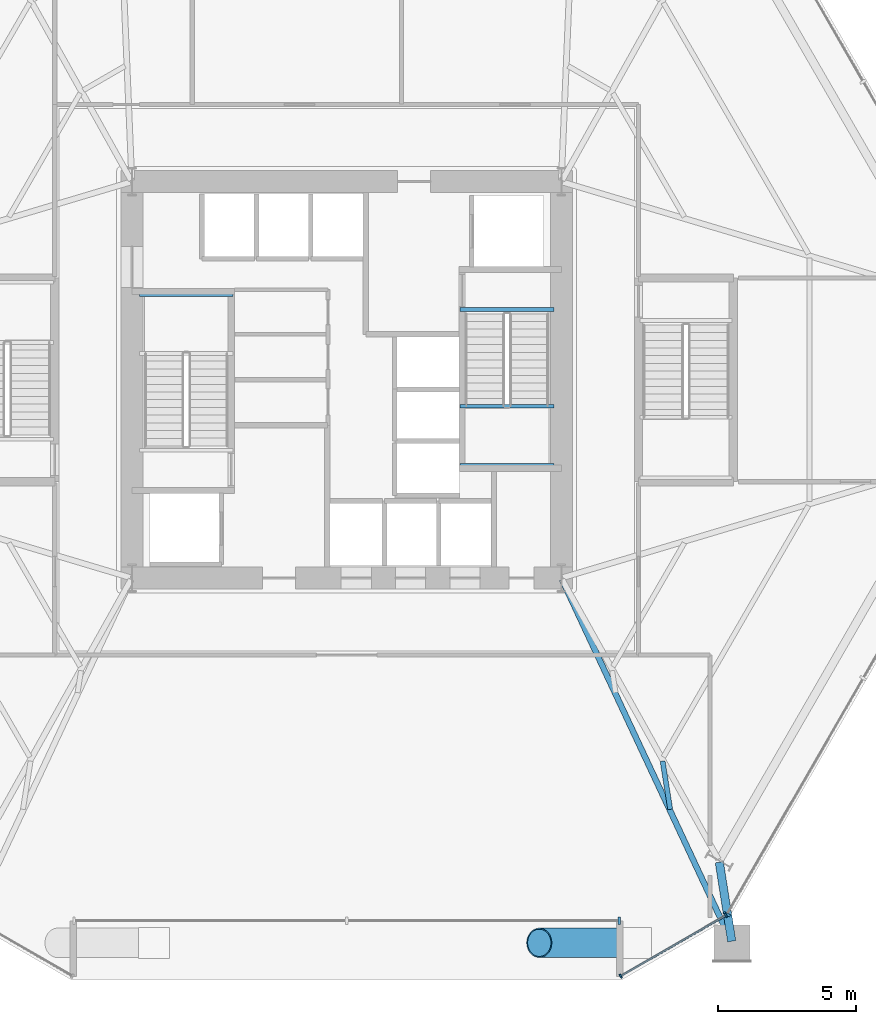
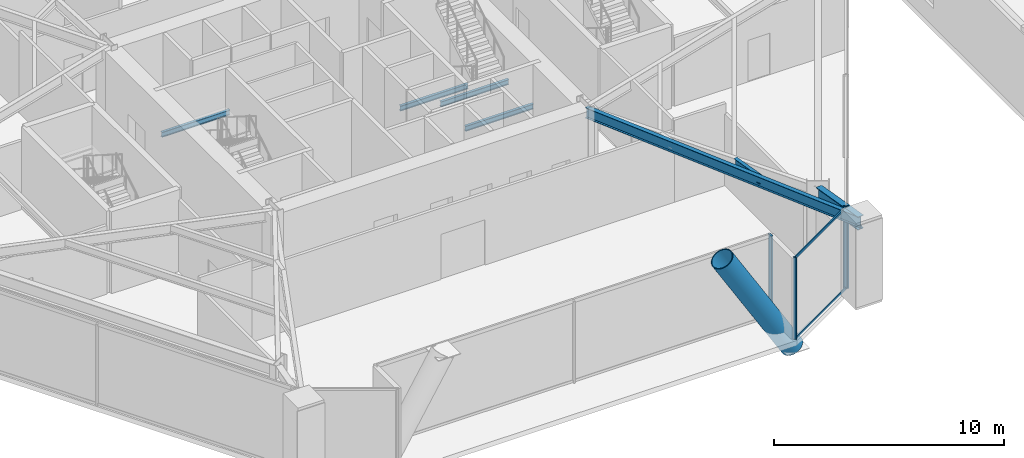
# One storey, part 8 of 23: 7 beams, 7 members, 3 elements without a shape of their own.
"""IFC4 building model written with IfcOpenShell, lengths in metres."""

from ifc_helpers import new_model, si_unit, direction, frame, origin, origin_2d, place, context, subcontext, project, spatial, rectangle, hollow_circle, i_section, extrude, material, layer, layer_set, material_profile, profile_set, type_object, element, aggregate, save


model = new_model("IFC4")

# Units and contexts
model_context = context("Model", 3, precision=1e-05, world=origin(), true_north=direction((0.0, 1.0)))
body_context = subcontext(model_context, "Body", "Model", "MODEL_VIEW")
ifc_project = project(units=[si_unit("LENGTHUNIT", "METRE"), si_unit("AREAUNIT", "SQUARE_METRE"), si_unit("VOLUMEUNIT", "CUBIC_METRE"), si_unit("PLANEANGLEUNIT", "RADIAN"), si_unit("MASSUNIT", "GRAM", prefix="KILO")], contexts=[model_context])

# Site, building, storey
site_placement = place(None, origin())
site = spatial("IfcSite", under=ifc_project, at=site_placement, CompositionType="ELEMENT")
building_placement = place(site_placement, origin())
building = spatial("IfcBuilding", under=site, at=building_placement, Name="Kranzbogen Civic Tower", CompositionType="ELEMENT")
storey_placement = place(building_placement, frame((0.0, 0.0, 9.800048828125)))
storey = spatial("IfcBuildingStorey", under=building, at=storey_placement, Name="L02", CompositionType="ELEMENT", Elevation=9.800048828125)

# Curtain wall, members
ifc_material_1 = material(Name="Pale Anodised Aluminium", Category="aluminium")
ifc_layer_1 = layer(ifc_material_1, 0.219970703125, Name="Pale Anodised Aluminium")
ifc_layer_set_1 = layer_set([ifc_layer_1], Name="Pale Anodised Aluminium")
curtain_wall_type_1 = type_object("IfcCurtainWallType", Name="Chamfer Facet Stick Curtain Wall System CW-06", PredefinedType="USERDEFINED", material=ifc_layer_set_1)
curtain_wall_1_placement = place(storey_placement, origin())
curtain_wall_1 = element("IfcCurtainWall", 1, at=curtain_wall_1_placement, inside=storey, type_object=curtain_wall_type_1, Name="L02 curtain wall CW-L02-C5", ObjectType="STICK CURTAIN WALL", PredefinedType="USERDEFINED")
ifc_material_profile_1 = material_profile(ifc_material_1, rectangle(XDim=0.06005859375, YDim=0.159912109375, at=origin_2d()), Name="ALU-M 60x160")
ifc_profile_set_1 = profile_set([ifc_material_profile_1], Name="Pale Anodised Aluminium")
member_type_1 = type_object("IfcMemberType", Name="Curtain Wall Mullion ALU-M 60x160", PredefinedType="MULLION", material=ifc_profile_set_1)
member_1_placement = place(storey_placement, frame((34.9560546875, 3.342041015625, 0.0), z_axis=(0.0, 0.0, 1.0), x_axis=(0.865992001897, 0.500057849305, 0.0)))
member_1 = element("IfcMember", 2, at=member_1_placement, type_object=member_type_1, Name="CW-06 mullion 1", PredefinedType="MULLION", context=body_context, shape_type="SweptSolid", body=[
    extrude(rectangle(XDim=0.06005859375, YDim=0.159912109375, at=origin_2d()), origin(), (0.0, 0.0, 1.0), 4.33984375),
])
member_2_placement = place(storey_placement, frame((38.778076171875, 5.549072265625, 0.0), z_axis=(0.0, 0.0, 1.0), x_axis=(0.865992001897, 0.500057849305, 0.0)))
member_2 = element("IfcMember", 3, at=member_2_placement, type_object=member_type_1, Name="CW-06 mullion 2", PredefinedType="MULLION", context=body_context, shape_type="SweptSolid", body=[
    extrude(rectangle(XDim=0.06005859375, YDim=0.159912109375, at=origin_2d()), origin(), (0.0, 0.0, 1.0), 4.33984375),
])

# Curtain wall, member
ifc_layer_2 = layer(ifc_material_1, 0.219970703125, Name="Pale Anodised Aluminium")
ifc_layer_set_2 = layer_set([ifc_layer_2], Name="Pale Anodised Aluminium")
curtain_wall_type_2 = type_object("IfcCurtainWallType", Name="Podium Stick Curtain Wall System CW-01", PredefinedType="USERDEFINED", material=ifc_layer_set_2)
curtain_wall_2_placement = place(storey_placement, origin())
curtain_wall_2 = element("IfcCurtainWall", 4, at=curtain_wall_2_placement, inside=storey, type_object=curtain_wall_type_2, Name="L02 curtain wall CW-L02-F5", ObjectType="STICK CURTAIN WALL", PredefinedType="USERDEFINED")
ifc_material_profile_2 = material_profile(ifc_material_1, rectangle(XDim=0.0849609375, YDim=0.260009765625, at=origin_2d()), Name="ALU-M 85x260")
ifc_profile_set_2 = profile_set([ifc_material_profile_2], Name="Pale Anodised Aluminium")
member_type_2 = type_object("IfcMemberType", Name="Curtain Wall Mullion ALU-M 85x260", PredefinedType="MULLION", material=ifc_profile_set_2)
member_3_placement = place(storey_placement, frame((34.89990234375, 5.35009765625, 0.0), z_axis=(0.0, 0.0, 1.0), x_axis=(1.0, 0.0, 0.0)))
member_3 = element("IfcMember", 5, at=member_3_placement, type_object=member_type_2, Name="CW-01 mullion 3", PredefinedType="MULLION", context=body_context, shape_type="SweptSolid", body=[
    extrude(rectangle(XDim=0.0849609375, YDim=0.260009765625, at=origin_2d()), origin(), (0.0, 0.0, 1.0), 4.33984375),
])
aggregate(curtain_wall_2, [member_3])

curtain_wall_3_placement = place(storey_placement, origin())
curtain_wall_3 = element("IfcCurtainWall", 6, at=curtain_wall_3_placement, inside=storey, type_object=curtain_wall_type_2, Name="L02 curtain wall CW-L02-F6", ObjectType="STICK CURTAIN WALL", PredefinedType="USERDEFINED")
member_4_placement = place(storey_placement, frame((38.819091796875, 5.590087890625, 0.0), z_axis=(0.0, 0.0, 1.0), x_axis=(0.500005767433, 0.86602207393, 0.0)))
member_4 = element("IfcMember", 7, at=member_4_placement, type_object=member_type_2, Name="CW-01 mullion 1", PredefinedType="MULLION", context=body_context, shape_type="SweptSolid", body=[
    extrude(rectangle(XDim=0.0849609375, YDim=0.260009765625, at=origin_2d()), origin(), (0.0, 0.0, 1.0), 4.33984375),
])
aggregate(curtain_wall_3, [member_4])

# Member
ifc_material_profile_3 = material_profile(ifc_material_1, rectangle(XDim=0.06005859375, YDim=0.1201171875, at=origin_2d()), Name="ALU-T 60x120")
ifc_profile_set_3 = profile_set([ifc_material_profile_3], Name="Pale Anodised Aluminium")
member_type_3 = type_object("IfcMemberType", Name="Curtain Wall Transom ALU-T 60x120", PredefinedType="USERDEFINED", material=ifc_profile_set_3)
member_5_placement = place(storey_placement, frame((34.98193359375, 3.35693359375, 0.030029296875), z_axis=(0.865987588642, 0.500065492029, 0.0), x_axis=(-0.500065492029, 0.865987588642, 0.0)))
member_5 = element("IfcMember", 8, at=member_5_placement, type_object=member_type_3, Name="CW-06 transom 1.1", ObjectType="TRANSOM", PredefinedType="USERDEFINED", context=body_context, shape_type="SweptSolid", body=[
    extrude(rectangle(XDim=0.06005859375, YDim=0.1201171875, at=origin_2d()), origin(), (0.0, 0.0, 1.0), 4.353515625),
])

member_6_placement = place(storey_placement, frame((34.98193359375, 3.35693359375, 4.31005859375), z_axis=(0.865987588642, 0.500065492029, 0.0), x_axis=(-0.500065492029, 0.865987588642, 0.0)))
member_6 = element("IfcMember", 9, at=member_6_placement, type_object=member_type_3, Name="CW-06 transom 1.2", ObjectType="TRANSOM", PredefinedType="USERDEFINED", context=body_context, shape_type="SweptSolid", body=[
    extrude(rectangle(XDim=0.06005859375, YDim=0.1201171875, at=origin_2d()), origin(), (0.0, 0.0, 1.0), 4.353515625),
])

aggregate(curtain_wall_1, [member_1, member_2, member_5, member_6])

# Beam
ifc_material_2 = material(Name="Steel S355", Category="steel")
ifc_material_profile_4 = material_profile(ifc_material_2, i_section(OverallWidth=0.300048828125, OverallDepth=0.699951171875, WebThickness=0.01708984375, FlangeThickness=0.031982421875, at=origin_2d()), Name="HEB 700")
ifc_profile_set_4 = profile_set([ifc_material_profile_4], Name="Steel S355")
beam_type_1 = type_object("IfcBeamType", Name="Perimeter Tube Spandrel Beam HEB 700", PredefinedType="SPANDREL", material=ifc_profile_set_4)
beam_1_placement = place(storey_placement, frame((38.990966796875, 4.60888671875, 3.989990234375), z_axis=(-0.155310516678, 0.9878657011, 0.0), x_axis=(-0.9878657011, -0.155310516678, 0.0)))
element("IfcBeam", 10, at=beam_1_placement, inside=storey, type_object=beam_type_1, Name="L02 perimeter spandrel beam 04", PredefinedType="SPANDREL", context=body_context, shape_type="SweptSolid", body=[
    extrude(i_section(OverallWidth=0.300048828125, OverallDepth=0.699951171875, WebThickness=0.01708984375, FlangeThickness=0.031982421875, at=origin_2d()), origin(), (0.0, 0.0, 1.0), 2.9033203125),
])

# Member
ifc_material_3 = material(Name="Steel S460", Category="steel")
ifc_material_profile_5 = material_profile(ifc_material_3, hollow_circle(Radius=0.533447265625, WallThickness=0.0400390625, at=origin_2d()), Name="CHS 1067x40")
ifc_profile_set_5 = profile_set([ifc_material_profile_5], Name="Steel S460")
member_type_4 = type_object("IfcMemberType", Name="Portal Arch Rib Segment CHS 1067x40", PredefinedType="USERDEFINED", material=ifc_profile_set_5)
member_7_placement = place(storey_placement, frame((32.0, 4.550048828125, 4.550048828125), z_axis=(0.515881565394, 0.0, -0.856659915303), x_axis=(0.0, 1.0, 0.0)))
element("IfcMember", 11, at=member_7_placement, inside=storey, type_object=member_type_4, Name="ARC-1: Giant South Portal Arch rib segment 7", ObjectType="ARCH_SEGMENT", PredefinedType="USERDEFINED", context=body_context, shape_type="SweptSolid", body=[
    extrude(hollow_circle(Radius=0.533447265625, WallThickness=0.0400390625, at=origin_2d()), origin(), (0.0, 0.0, 1.0), 6.784423828125),
])

# Beams
ifc_material_profile_6 = material_profile(ifc_material_2, i_section(OverallWidth=0.2099609375, OverallDepth=0.550048828125, WebThickness=0.010986328125, FlangeThickness=0.01708984375, at=origin_2d()), Name="IPE 550")
ifc_profile_set_6 = profile_set([ifc_material_profile_6], Name="Steel S355")
beam_type_2 = type_object("IfcBeamType", Name="Radial Tower Floor Girder IPE 550", PredefinedType="BEAM", material=ifc_profile_set_6)
beam_2_placement = place(storey_placement, frame((38.97509765625, 4.60400390625, 4.06494140625), z_axis=(-0.423857000271, 0.905729122487, 0.0), x_axis=(-0.905729122487, -0.423857000271, 0.0)))
element("IfcBeam", 12, at=beam_2_placement, inside=storey, type_object=beam_type_2, Name="L02 radial floor girder 04", PredefinedType="BEAM", context=body_context, shape_type="SweptSolid", body=[
    extrude(i_section(OverallWidth=0.2099609375, OverallDepth=0.550048828125, WebThickness=0.010986328125, FlangeThickness=0.01708984375, at=origin_2d()), origin(), (0.0, 0.0, 1.0), 14.510009765625),
])
ifc_material_profile_7 = material_profile(ifc_material_2, i_section(OverallWidth=0.179931640625, OverallDepth=0.39990234375, WebThickness=0.008544921875, FlangeThickness=0.013427734375, at=origin_2d()), Name="IPE 400")
ifc_profile_set_7 = profile_set([ifc_material_profile_7], Name="Steel S355")
beam_type_3 = type_object("IfcBeamType", Name="Secondary Composite Floor Joist IPE 400", PredefinedType="JOIST", material=ifc_profile_set_7)
beam_3_placement = place(storey_placement, frame((36.756103515625, 9.39892578125, 4.139892578125), z_axis=(-0.155581109843, 0.987823120938, 0.0), x_axis=(-0.987823120938, -0.155581109843, 0.0)))
element("IfcBeam", 13, at=beam_3_placement, inside=storey, type_object=beam_type_3, Name="L02 secondary floor joist 1.04", PredefinedType="JOIST", context=body_context, shape_type="SweptSolid", body=[
    extrude(i_section(OverallWidth=0.179931640625, OverallDepth=0.39990234375, WebThickness=0.008544921875, FlangeThickness=0.013427734375, at=origin_2d()), origin(), (0.0, 0.0, 1.0), 1.77490234375),
])
ifc_material_profile_8 = material_profile(ifc_material_2, i_section(OverallWidth=0.135009765625, OverallDepth=0.27001953125, WebThickness=0.006591796875, FlangeThickness=0.01025390625, at=origin_2d()), Name="IPE 270")
ifc_profile_set_8 = profile_set([ifc_material_profile_8], Name="Steel S355")
beam_type_4 = type_object("IfcBeamType", Name="Stair Landing Support Beam IPE 270", PredefinedType="JOIST", material=ifc_profile_set_8)
for number, where, z_axis, x_axis, name in (
    (14, (20.8798828125, 28.10009765625, 1.96484375), (-1.0, 0.0, 0.0), (0.0, -1.0, 0.0), "L02 ST-T1 landing support beam 1.2"),
    (15, (29.1201171875, 27.56005859375, -0.39501953125), (1.0, 0.0, 0.0), (0.0, 1.0, 0.0), "L02 ST-T2 stair floor header beam"),
    (16, (29.1201171875, 24.0400390625, 1.96484375), (1.0, 0.0, 0.0), (0.0, 1.0, 0.0), "L02 ST-T2 landing support beam 1.1"),
    (17, (29.1201171875, 21.89990234375, 1.96484375), (1.0, 0.0, 0.0), (0.0, 1.0, 0.0), "L02 ST-T2 landing support beam 1.2"),
):
    element("IfcBeam", number, at=place(storey_placement, frame(where, z_axis=z_axis, x_axis=x_axis)), inside=storey, type_object=beam_type_4, Name=name, PredefinedType="JOIST", context=body_context, shape_type="SweptSolid", body=[
        extrude(i_section(OverallWidth=0.135009765625, OverallDepth=0.27001953125, WebThickness=0.006591796875, FlangeThickness=0.01025390625, at=origin_2d()), origin(), (0.0, 0.0, 1.0), 3.409912109375),
    ])

save(model, "model.ifc")
